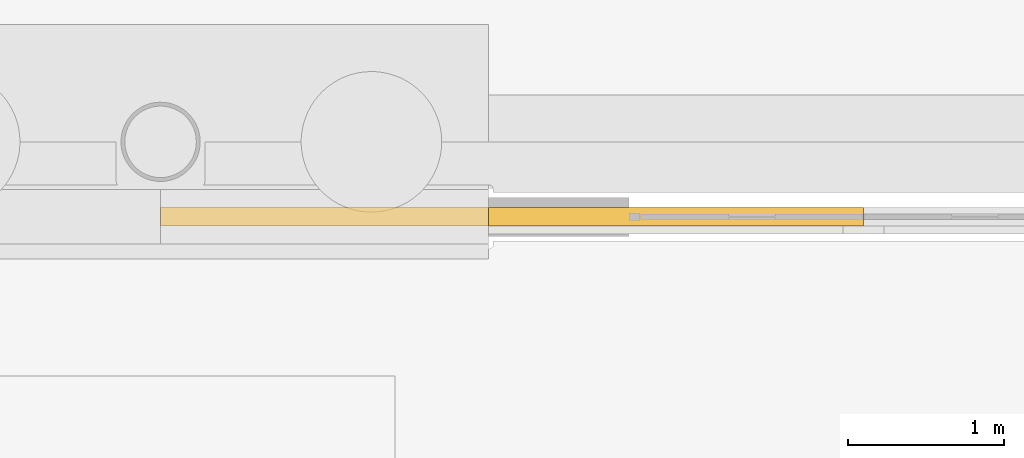
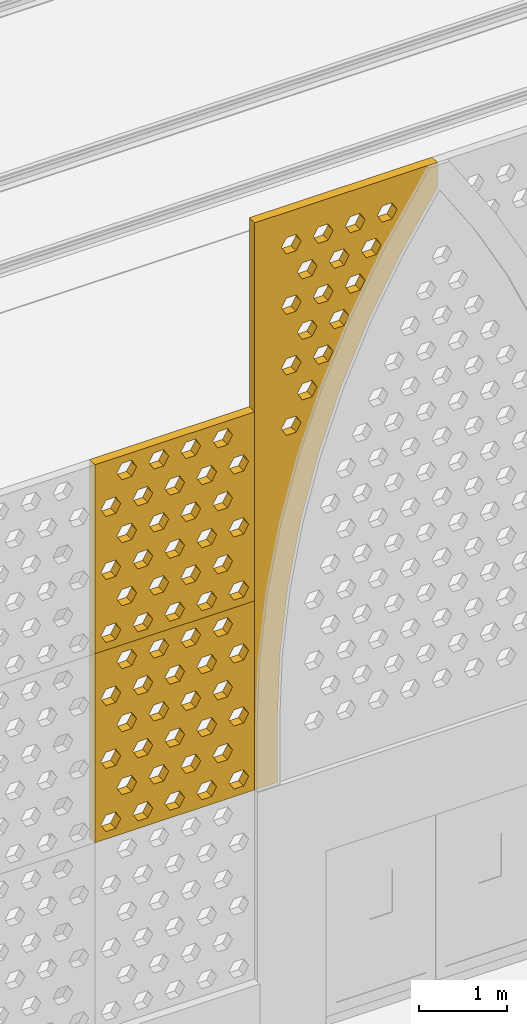
# One storey, part 191 of 250: 3 shading devices.
"""IFC4 building model written with IfcOpenShell, lengths in metres."""

from ifc_helpers import new_model, si_unit, direction, frame, origin, place, context, subcontext, project, spatial, polyline, outline, extrude, material, layer, layer_set, type_object, element, save


model = new_model("IFC4")

# Units and contexts
model_context = context("Model", 3, precision=1e-05, world=origin(), true_north=direction((0.0, 1.0)))
body_context = subcontext(model_context, "Body", "Model", "MODEL_VIEW")
ifc_project = project(units=[si_unit("LENGTHUNIT", "METRE"), si_unit("AREAUNIT", "SQUARE_METRE"), si_unit("VOLUMEUNIT", "CUBIC_METRE"), si_unit("PLANEANGLEUNIT", "RADIAN"), si_unit("MASSUNIT", "GRAM", prefix="KILO")], contexts=[model_context])

# Site, building, storey
site_placement = place(None, origin())
site = spatial("IfcSite", under=ifc_project, at=site_placement, CompositionType="ELEMENT")
building_placement = place(site_placement, origin())
building = spatial("IfcBuilding", under=site, at=building_placement, Name="Baradari Gate Terminus", CompositionType="ELEMENT")
storey_placement = place(building_placement, origin())
storey = spatial("IfcBuildingStorey", under=building, at=storey_placement, Name="L00", CompositionType="ELEMENT", Elevation=0.0)

# Shading devices
ifc_material = material(Name="Concrete C50/60 precast", Category="concrete")
ifc_layer = layer(ifc_material, 0.1201171875)
ifc_layer_set = layer_set([ifc_layer], Name="Concrete C50/60 precast")
shading_device_type = type_object("IfcShadingDeviceType", Name="Jali screen panel JS-2 120", PredefinedType="SHUTTER", material=ifc_layer_set)
shading_device_1_placement = place(storey_placement, frame((171.0, 35.52001953125, 3.52490234375), z_axis=(0.0, 0.0, 1.0), x_axis=(1.0, 0.0, 0.0)))
element("IfcShadingDevice", 1, at=shading_device_1_placement, inside=storey, type_object=shading_device_type, Name="Jali screen panel JS-2 SC02a row 2 panel 1", PredefinedType="SHUTTER", context=body_context, shape_type="SweptSolid", body=[
    extrude(outline(polyline([(0.0, 0.0), (2.10009765625, 0.0), (2.10009765625, 2.625), (0.0, 2.625), (0.0, 0.0)]), holes=[polyline([(0.340087890625, 0.21875), (0.27490234375, 0.106201171875), (0.14501953125, 0.106201171875), (0.080078125, 0.21875), (0.14501953125, 0.33154296875), (0.27490234375, 0.33154296875), (0.340087890625, 0.21875)]), polyline([(0.760009765625, 0.21875), (0.695068359375, 0.106201171875), (0.56494140625, 0.106201171875), (0.5, 0.21875), (0.56494140625, 0.33154296875), (0.695068359375, 0.33154296875), (0.760009765625, 0.21875)]), polyline([(1.179931640625, 0.21875), (1.114990234375, 0.106201171875), (0.985107421875, 0.106201171875), (0.919921875, 0.21875), (0.985107421875, 0.33154296875), (1.114990234375, 0.33154296875), (1.179931640625, 0.21875)]), polyline([(1.60009765625, 0.21875), (1.534912109375, 0.106201171875), (1.405029296875, 0.106201171875), (1.340087890625, 0.21875), (1.405029296875, 0.33154296875), (1.534912109375, 0.33154296875), (1.60009765625, 0.21875)]), polyline([(2.02001953125, 0.21875), (1.955078125, 0.106201171875), (1.824951171875, 0.106201171875), (1.760009765625, 0.21875), (1.824951171875, 0.33154296875), (1.955078125, 0.33154296875), (2.02001953125, 0.21875)]), polyline([(0.550048828125, 0.65625), (0.485107421875, 0.543701171875), (0.35498046875, 0.543701171875), (0.2900390625, 0.65625), (0.35498046875, 0.76904296875), (0.485107421875, 0.76904296875), (0.550048828125, 0.65625)]), polyline([(0.969970703125, 0.65625), (0.905029296875, 0.543701171875), (0.77490234375, 0.543701171875), (0.7099609375, 0.65625), (0.77490234375, 0.76904296875), (0.905029296875, 0.76904296875), (0.969970703125, 0.65625)]), polyline([(1.389892578125, 0.65625), (1.324951171875, 0.543701171875), (1.195068359375, 0.543701171875), (1.1298828125, 0.65625), (1.195068359375, 0.76904296875), (1.324951171875, 0.76904296875), (1.389892578125, 0.65625)]), polyline([(1.81005859375, 0.65625), (1.7451171875, 0.543701171875), (1.614990234375, 0.543701171875), (1.550048828125, 0.65625), (1.614990234375, 0.76904296875), (1.7451171875, 0.76904296875), (1.81005859375, 0.65625)]), polyline([(0.340087890625, 1.09375), (0.27490234375, 0.981201171875), (0.14501953125, 0.981201171875), (0.080078125, 1.09375), (0.14501953125, 1.20654296875), (0.27490234375, 1.20654296875), (0.340087890625, 1.09375)]), polyline([(0.760009765625, 1.09375), (0.695068359375, 0.981201171875), (0.56494140625, 0.981201171875), (0.5, 1.09375), (0.56494140625, 1.20654296875), (0.695068359375, 1.20654296875), (0.760009765625, 1.09375)]), polyline([(1.179931640625, 1.09375), (1.114990234375, 0.981201171875), (0.985107421875, 0.981201171875), (0.919921875, 1.09375), (0.985107421875, 1.20654296875), (1.114990234375, 1.20654296875), (1.179931640625, 1.09375)]), polyline([(1.60009765625, 1.09375), (1.534912109375, 0.981201171875), (1.405029296875, 0.981201171875), (1.340087890625, 1.09375), (1.405029296875, 1.20654296875), (1.534912109375, 1.20654296875), (1.60009765625, 1.09375)]), polyline([(2.02001953125, 1.09375), (1.955078125, 0.981201171875), (1.824951171875, 0.981201171875), (1.760009765625, 1.09375), (1.824951171875, 1.20654296875), (1.955078125, 1.20654296875), (2.02001953125, 1.09375)]), polyline([(0.550048828125, 1.53125), (0.485107421875, 1.418701171875), (0.35498046875, 1.418701171875), (0.2900390625, 1.53125), (0.35498046875, 1.64404296875), (0.485107421875, 1.64404296875), (0.550048828125, 1.53125)]), polyline([(0.969970703125, 1.53125), (0.905029296875, 1.418701171875), (0.77490234375, 1.418701171875), (0.7099609375, 1.53125), (0.77490234375, 1.64404296875), (0.905029296875, 1.64404296875), (0.969970703125, 1.53125)]), polyline([(1.389892578125, 1.53125), (1.324951171875, 1.418701171875), (1.195068359375, 1.418701171875), (1.1298828125, 1.53125), (1.195068359375, 1.64404296875), (1.324951171875, 1.64404296875), (1.389892578125, 1.53125)]), polyline([(1.81005859375, 1.53125), (1.7451171875, 1.418701171875), (1.614990234375, 1.418701171875), (1.550048828125, 1.53125), (1.614990234375, 1.64404296875), (1.7451171875, 1.64404296875), (1.81005859375, 1.53125)]), polyline([(0.340087890625, 1.96875), (0.27490234375, 1.856201171875), (0.14501953125, 1.856201171875), (0.080078125, 1.96875), (0.14501953125, 2.08154296875), (0.27490234375, 2.08154296875), (0.340087890625, 1.96875)]), polyline([(0.760009765625, 1.96875), (0.695068359375, 1.856201171875), (0.56494140625, 1.856201171875), (0.5, 1.96875), (0.56494140625, 2.08154296875), (0.695068359375, 2.08154296875), (0.760009765625, 1.96875)]), polyline([(1.179931640625, 1.96875), (1.114990234375, 1.856201171875), (0.985107421875, 1.856201171875), (0.919921875, 1.96875), (0.985107421875, 2.08154296875), (1.114990234375, 2.08154296875), (1.179931640625, 1.96875)]), polyline([(1.60009765625, 1.96875), (1.534912109375, 1.856201171875), (1.405029296875, 1.856201171875), (1.340087890625, 1.96875), (1.405029296875, 2.08154296875), (1.534912109375, 2.08154296875), (1.60009765625, 1.96875)]), polyline([(2.02001953125, 1.96875), (1.955078125, 1.856201171875), (1.824951171875, 1.856201171875), (1.760009765625, 1.96875), (1.824951171875, 2.08154296875), (1.955078125, 2.08154296875), (2.02001953125, 1.96875)]), polyline([(0.550048828125, 2.40625), (0.485107421875, 2.293701171875), (0.35498046875, 2.293701171875), (0.2900390625, 2.40625), (0.35498046875, 2.51904296875), (0.485107421875, 2.51904296875), (0.550048828125, 2.40625)]), polyline([(0.969970703125, 2.40625), (0.905029296875, 2.293701171875), (0.77490234375, 2.293701171875), (0.7099609375, 2.40625), (0.77490234375, 2.51904296875), (0.905029296875, 2.51904296875), (0.969970703125, 2.40625)]), polyline([(1.389892578125, 2.40625), (1.324951171875, 2.293701171875), (1.195068359375, 2.293701171875), (1.1298828125, 2.40625), (1.195068359375, 2.51904296875), (1.324951171875, 2.51904296875), (1.389892578125, 2.40625)]), polyline([(1.81005859375, 2.40625), (1.7451171875, 2.293701171875), (1.614990234375, 2.293701171875), (1.550048828125, 2.40625), (1.614990234375, 2.51904296875), (1.7451171875, 2.51904296875), (1.81005859375, 2.40625)])]), frame((0.0, 0.06005859375, 0.0), z_axis=(0.0, -1.0, 0.0), x_axis=(1.0, 0.0, 0.0)), (0.0, 0.0, 1.0), 0.1201171875),
])
shading_device_2_placement = place(storey_placement, frame((171.0, 35.52001953125, 6.14990234375), z_axis=(0.0, 0.0, 1.0), x_axis=(1.0, 0.0, 0.0)))
element("IfcShadingDevice", 2, at=shading_device_2_placement, inside=storey, type_object=shading_device_type, Name="Jali screen panel JS-2 SC02a row 3 panel 1", PredefinedType="SHUTTER", context=body_context, shape_type="SweptSolid", body=[
    extrude(outline(polyline([(0.0, 0.0), (2.10009765625, 0.0), (2.10009765625, 2.625), (0.0, 2.625), (0.0, 0.0)]), holes=[polyline([(0.340087890625, 0.21875), (0.27490234375, 0.106201171875), (0.14501953125, 0.106201171875), (0.080078125, 0.21875), (0.14501953125, 0.33154296875), (0.27490234375, 0.33154296875), (0.340087890625, 0.21875)]), polyline([(0.760009765625, 0.21875), (0.695068359375, 0.106201171875), (0.56494140625, 0.106201171875), (0.5, 0.21875), (0.56494140625, 0.33154296875), (0.695068359375, 0.33154296875), (0.760009765625, 0.21875)]), polyline([(1.179931640625, 0.21875), (1.114990234375, 0.106201171875), (0.985107421875, 0.106201171875), (0.919921875, 0.21875), (0.985107421875, 0.33154296875), (1.114990234375, 0.33154296875), (1.179931640625, 0.21875)]), polyline([(1.60009765625, 0.21875), (1.534912109375, 0.106201171875), (1.405029296875, 0.106201171875), (1.340087890625, 0.21875), (1.405029296875, 0.33154296875), (1.534912109375, 0.33154296875), (1.60009765625, 0.21875)]), polyline([(2.02001953125, 0.21875), (1.955078125, 0.106201171875), (1.824951171875, 0.106201171875), (1.760009765625, 0.21875), (1.824951171875, 0.33154296875), (1.955078125, 0.33154296875), (2.02001953125, 0.21875)]), polyline([(0.550048828125, 0.65625), (0.485107421875, 0.543701171875), (0.35498046875, 0.543701171875), (0.2900390625, 0.65625), (0.35498046875, 0.76904296875), (0.485107421875, 0.76904296875), (0.550048828125, 0.65625)]), polyline([(0.969970703125, 0.65625), (0.905029296875, 0.543701171875), (0.77490234375, 0.543701171875), (0.7099609375, 0.65625), (0.77490234375, 0.76904296875), (0.905029296875, 0.76904296875), (0.969970703125, 0.65625)]), polyline([(1.389892578125, 0.65625), (1.324951171875, 0.543701171875), (1.195068359375, 0.543701171875), (1.1298828125, 0.65625), (1.195068359375, 0.76904296875), (1.324951171875, 0.76904296875), (1.389892578125, 0.65625)]), polyline([(1.81005859375, 0.65625), (1.7451171875, 0.543701171875), (1.614990234375, 0.543701171875), (1.550048828125, 0.65625), (1.614990234375, 0.76904296875), (1.7451171875, 0.76904296875), (1.81005859375, 0.65625)]), polyline([(0.340087890625, 1.09375), (0.27490234375, 0.981201171875), (0.14501953125, 0.981201171875), (0.080078125, 1.09375), (0.14501953125, 1.20654296875), (0.27490234375, 1.20654296875), (0.340087890625, 1.09375)]), polyline([(0.760009765625, 1.09375), (0.695068359375, 0.981201171875), (0.56494140625, 0.981201171875), (0.5, 1.09375), (0.56494140625, 1.20654296875), (0.695068359375, 1.20654296875), (0.760009765625, 1.09375)]), polyline([(1.179931640625, 1.09375), (1.114990234375, 0.981201171875), (0.985107421875, 0.981201171875), (0.919921875, 1.09375), (0.985107421875, 1.20654296875), (1.114990234375, 1.20654296875), (1.179931640625, 1.09375)]), polyline([(1.60009765625, 1.09375), (1.534912109375, 0.981201171875), (1.405029296875, 0.981201171875), (1.340087890625, 1.09375), (1.405029296875, 1.20654296875), (1.534912109375, 1.20654296875), (1.60009765625, 1.09375)]), polyline([(2.02001953125, 1.09375), (1.955078125, 0.981201171875), (1.824951171875, 0.981201171875), (1.760009765625, 1.09375), (1.824951171875, 1.20654296875), (1.955078125, 1.20654296875), (2.02001953125, 1.09375)]), polyline([(0.550048828125, 1.53125), (0.485107421875, 1.418701171875), (0.35498046875, 1.418701171875), (0.2900390625, 1.53125), (0.35498046875, 1.64404296875), (0.485107421875, 1.64404296875), (0.550048828125, 1.53125)]), polyline([(0.969970703125, 1.53125), (0.905029296875, 1.418701171875), (0.77490234375, 1.418701171875), (0.7099609375, 1.53125), (0.77490234375, 1.64404296875), (0.905029296875, 1.64404296875), (0.969970703125, 1.53125)]), polyline([(1.389892578125, 1.53125), (1.324951171875, 1.418701171875), (1.195068359375, 1.418701171875), (1.1298828125, 1.53125), (1.195068359375, 1.64404296875), (1.324951171875, 1.64404296875), (1.389892578125, 1.53125)]), polyline([(1.81005859375, 1.53125), (1.7451171875, 1.418701171875), (1.614990234375, 1.418701171875), (1.550048828125, 1.53125), (1.614990234375, 1.64404296875), (1.7451171875, 1.64404296875), (1.81005859375, 1.53125)]), polyline([(0.340087890625, 1.96875), (0.27490234375, 1.856201171875), (0.14501953125, 1.856201171875), (0.080078125, 1.96875), (0.14501953125, 2.08154296875), (0.27490234375, 2.08154296875), (0.340087890625, 1.96875)]), polyline([(0.760009765625, 1.96875), (0.695068359375, 1.856201171875), (0.56494140625, 1.856201171875), (0.5, 1.96875), (0.56494140625, 2.08154296875), (0.695068359375, 2.08154296875), (0.760009765625, 1.96875)]), polyline([(1.179931640625, 1.96875), (1.114990234375, 1.856201171875), (0.985107421875, 1.856201171875), (0.919921875, 1.96875), (0.985107421875, 2.08154296875), (1.114990234375, 2.08154296875), (1.179931640625, 1.96875)]), polyline([(1.60009765625, 1.96875), (1.534912109375, 1.856201171875), (1.405029296875, 1.856201171875), (1.340087890625, 1.96875), (1.405029296875, 2.08154296875), (1.534912109375, 2.08154296875), (1.60009765625, 1.96875)]), polyline([(2.02001953125, 1.96875), (1.955078125, 1.856201171875), (1.824951171875, 1.856201171875), (1.760009765625, 1.96875), (1.824951171875, 2.08154296875), (1.955078125, 2.08154296875), (2.02001953125, 1.96875)]), polyline([(0.550048828125, 2.40625), (0.485107421875, 2.293701171875), (0.35498046875, 2.293701171875), (0.2900390625, 2.40625), (0.35498046875, 2.51904296875), (0.485107421875, 2.51904296875), (0.550048828125, 2.40625)]), polyline([(0.969970703125, 2.40625), (0.905029296875, 2.293701171875), (0.77490234375, 2.293701171875), (0.7099609375, 2.40625), (0.77490234375, 2.51904296875), (0.905029296875, 2.51904296875), (0.969970703125, 2.40625)]), polyline([(1.389892578125, 2.40625), (1.324951171875, 2.293701171875), (1.195068359375, 2.293701171875), (1.1298828125, 2.40625), (1.195068359375, 2.51904296875), (1.324951171875, 2.51904296875), (1.389892578125, 2.40625)]), polyline([(1.81005859375, 2.40625), (1.7451171875, 2.293701171875), (1.614990234375, 2.293701171875), (1.550048828125, 2.40625), (1.614990234375, 2.51904296875), (1.7451171875, 2.51904296875), (1.81005859375, 2.40625)])]), frame((0.0, 0.06005859375, 0.0), z_axis=(0.0, -1.0, 0.0), x_axis=(1.0, 0.0, 0.0)), (0.0, 0.0, 1.0), 0.1201171875),
])
shading_device_3_placement = place(storey_placement, frame((173.10009765625, 35.52001953125, 3.52490234375), z_axis=(0.0, 0.0, 1.0), x_axis=(1.0, 0.0, 0.0)))
element("IfcShadingDevice", 3, at=shading_device_3_placement, inside=storey, type_object=shading_device_type, Name="Jali screen panel JS-2 SC02b arch L1", PredefinedType="SHUTTER", context=body_context, shape_type="SweptSolid", body=[
    extrude(outline(polyline([(0.0, 0.0), (0.300048828125, 0.0), (0.300048828125, 0.900146484375), (0.333740234375, 1.78173828125), (0.435302734375, 2.658203125), (0.603515625, 3.5244140625), (0.837646484375, 4.375), (1.13623046875, 5.205322265625), (1.49755859375, 6.01025390625), (1.919677734375, 6.784912109375), (2.39990234375, 7.525146484375), (2.39990234375, 7.875), (0.0, 7.875), (0.0, 0.0)]), holes=[polyline([(0.610107421875, 4.89013671875), (0.544921875, 4.777587890625), (0.4150390625, 4.777587890625), (0.35009765625, 4.89013671875), (0.4150390625, 5.002685546875), (0.544921875, 5.002685546875), (0.610107421875, 4.89013671875)]), polyline([(0.820068359375, 5.31005859375), (0.7548828125, 5.197509765625), (0.625, 5.197509765625), (0.56005859375, 5.31005859375), (0.625, 5.422607421875), (0.7548828125, 5.422607421875), (0.820068359375, 5.31005859375)]), polyline([(0.610107421875, 5.72998046875), (0.544921875, 5.617431640625), (0.4150390625, 5.617431640625), (0.35009765625, 5.72998046875), (0.4150390625, 5.8427734375), (0.544921875, 5.8427734375), (0.610107421875, 5.72998046875)]), polyline([(1.030029296875, 5.72998046875), (0.965087890625, 5.617431640625), (0.8349609375, 5.617431640625), (0.77001953125, 5.72998046875), (0.8349609375, 5.8427734375), (0.965087890625, 5.8427734375), (1.030029296875, 5.72998046875)]), polyline([(0.820068359375, 6.150146484375), (0.7548828125, 6.03759765625), (0.625, 6.03759765625), (0.56005859375, 6.150146484375), (0.625, 6.2626953125), (0.7548828125, 6.2626953125), (0.820068359375, 6.150146484375)]), polyline([(1.239990234375, 6.150146484375), (1.175048828125, 6.03759765625), (1.044921875, 6.03759765625), (0.97998046875, 6.150146484375), (1.044921875, 6.2626953125), (1.175048828125, 6.2626953125), (1.239990234375, 6.150146484375)]), polyline([(0.610107421875, 6.570068359375), (0.544921875, 6.45751953125), (0.4150390625, 6.45751953125), (0.35009765625, 6.570068359375), (0.4150390625, 6.6826171875), (0.544921875, 6.6826171875), (0.610107421875, 6.570068359375)]), polyline([(1.030029296875, 6.570068359375), (0.965087890625, 6.45751953125), (0.8349609375, 6.45751953125), (0.77001953125, 6.570068359375), (0.8349609375, 6.6826171875), (0.965087890625, 6.6826171875), (1.030029296875, 6.570068359375)]), polyline([(1.449951171875, 6.570068359375), (1.385009765625, 6.45751953125), (1.2548828125, 6.45751953125), (1.18994140625, 6.570068359375), (1.2548828125, 6.6826171875), (1.385009765625, 6.6826171875), (1.449951171875, 6.570068359375)]), polyline([(0.820068359375, 6.989990234375), (0.7548828125, 6.87744140625), (0.625, 6.87744140625), (0.56005859375, 6.989990234375), (0.625, 7.102783203125), (0.7548828125, 7.102783203125), (0.820068359375, 6.989990234375)]), polyline([(1.239990234375, 6.989990234375), (1.175048828125, 6.87744140625), (1.044921875, 6.87744140625), (0.97998046875, 6.989990234375), (1.044921875, 7.102783203125), (1.175048828125, 7.102783203125), (1.239990234375, 6.989990234375)]), polyline([(1.659912109375, 6.989990234375), (1.594970703125, 6.87744140625), (1.465087890625, 6.87744140625), (1.39990234375, 6.989990234375), (1.465087890625, 7.102783203125), (1.594970703125, 7.102783203125), (1.659912109375, 6.989990234375)]), polyline([(0.610107421875, 7.41015625), (0.544921875, 7.297607421875), (0.4150390625, 7.297607421875), (0.35009765625, 7.41015625), (0.4150390625, 7.522705078125), (0.544921875, 7.522705078125), (0.610107421875, 7.41015625)]), polyline([(1.030029296875, 7.41015625), (0.965087890625, 7.297607421875), (0.8349609375, 7.297607421875), (0.77001953125, 7.41015625), (0.8349609375, 7.522705078125), (0.965087890625, 7.522705078125), (1.030029296875, 7.41015625)]), polyline([(1.449951171875, 7.41015625), (1.385009765625, 7.297607421875), (1.2548828125, 7.297607421875), (1.18994140625, 7.41015625), (1.2548828125, 7.522705078125), (1.385009765625, 7.522705078125), (1.449951171875, 7.41015625)]), polyline([(1.8701171875, 7.41015625), (1.804931640625, 7.297607421875), (1.675048828125, 7.297607421875), (1.610107421875, 7.41015625), (1.675048828125, 7.522705078125), (1.804931640625, 7.522705078125), (1.8701171875, 7.41015625)])]), frame((0.0, 0.06005859375, 0.0), z_axis=(0.0, -1.0, 0.0), x_axis=(1.0, 0.0, 0.0)), (0.0, 0.0, 1.0), 0.1201171875),
])

save(model, "model.ifc")
